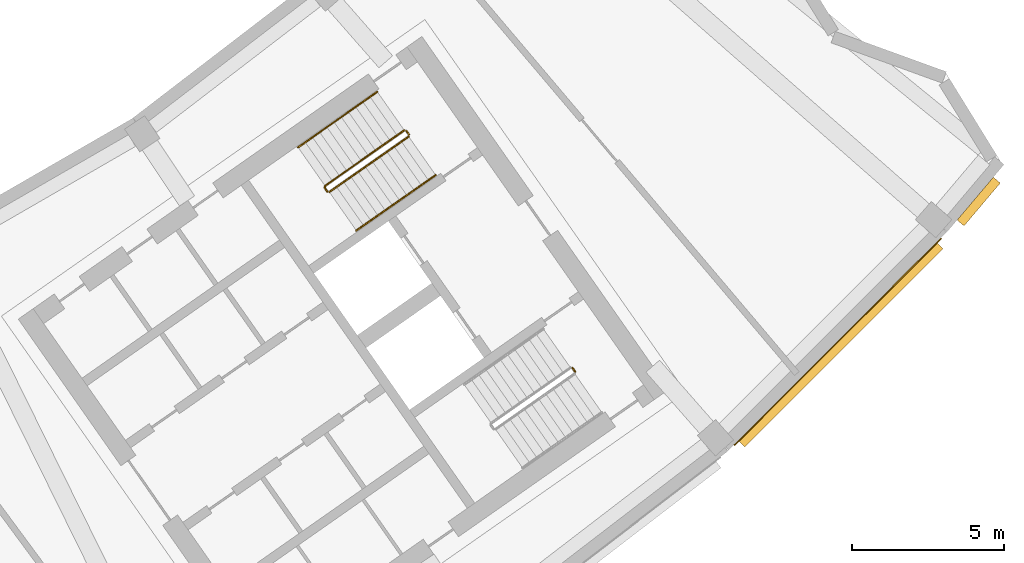
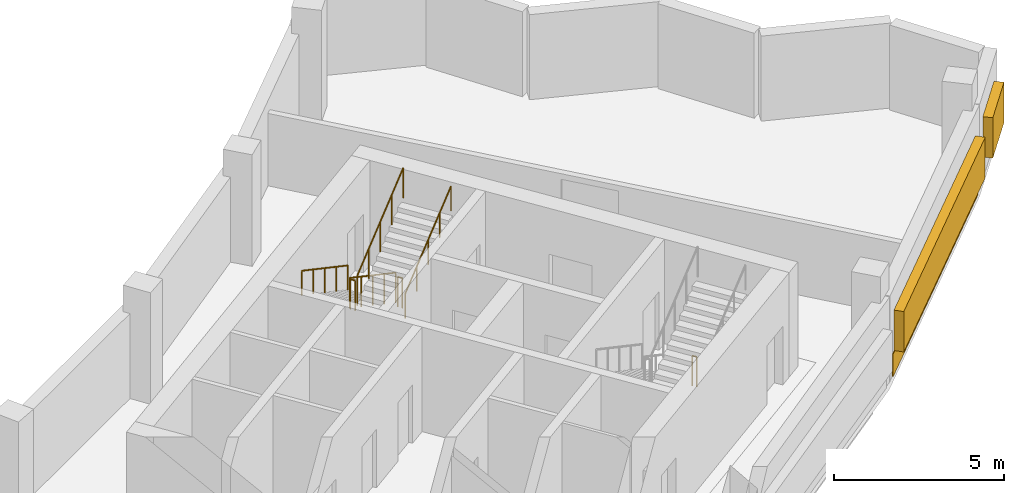
# One storey, part 11 of 11: 6 railings, 2 shading devices, 1 covering.
"""IFC4 building model written with IfcOpenShell, lengths in metres."""

from ifc_helpers import new_model, si_unit, direction, frame, origin, origin_2d, place, context, subcontext, project, spatial, rectangle, circle, extrude, material, layer, layer_set, type_object, element, save


model = new_model("IFC4")

# Units and contexts
model_context = context("Model", 3, precision=1e-05, world=origin(), true_north=direction((0.0, 1.0)))
body_context = subcontext(model_context, "Body", "Model", "MODEL_VIEW")
ifc_project = project(units=[si_unit("LENGTHUNIT", "METRE"), si_unit("AREAUNIT", "SQUARE_METRE"), si_unit("VOLUMEUNIT", "CUBIC_METRE"), si_unit("PLANEANGLEUNIT", "RADIAN"), si_unit("MASSUNIT", "GRAM", prefix="KILO")], contexts=[model_context])

# Site, building, storey
site_placement = place(None, origin())
site = spatial("IfcSite", under=ifc_project, at=site_placement, CompositionType="ELEMENT")
building_placement = place(site_placement, origin())
building = spatial("IfcBuilding", under=site, at=building_placement, Name="Qamariyya Broadcast Tower", CompositionType="ELEMENT")
storey_placement = place(building_placement, frame((0.0, 0.0, 314.699951171875)))
storey = spatial("IfcBuildingStorey", under=building, at=storey_placement, Name="L76", CompositionType="ELEMENT", Elevation=314.699951171875)

# Railings
ifc_material_1 = material(Name="Painted steel", Category="steel")
railing_type_1 = type_object("IfcRailingType", Name="Stair guard", PredefinedType="GUARDRAIL", material=ifc_material_1)
railing_1_placement = place(storey_placement, frame((41.003173828125, -48.320068359375, 0.166748046875)))
element("IfcRailing", 1, at=railing_1_placement, inside=storey, type_object=railing_type_1, Name="L76 ST-E2 stair guard 1", PredefinedType="GUARDRAIL", context=body_context, shape_type="SweptSolid", body=[
    extrude(circle(Radius=0.02392578125, at=origin_2d()), frame((0.0, 0.0, 1.076171875), z_axis=(-0.710204256923, -0.497335411159, 0.498264389913), x_axis=(0.573611290809, -0.819127637829, 0.0)), (0.0, 0.0, 1.0), 3.67919921875),
    extrude(circle(Radius=0.02392578125, at=origin_2d()), frame((-2.613037109375, -1.829833984375, 2.9091796875), z_axis=(-0.172799478008, -0.984957024646, 0.0), x_axis=(0.984957024646, -0.172799478008, 0.0)), (0.0, 0.0, 1.0), 0.070556640625),
    extrude(circle(Radius=0.02392578125, at=origin_2d()), frame((-2.625244140625, -1.8994140625, 2.9091796875), z_axis=(0.573353020881, -0.819308436089, 0.0), x_axis=(0.819308436089, 0.573353020881, 0.0)), (0.0, 0.0, 1.0), 0.14990234375),
    extrude(circle(Radius=0.02099609375, at=origin_2d()), origin(), (0.0, 0.0, 1.0), 1.052001953125),
    extrude(circle(Radius=0.02099609375, at=origin_2d()), frame((-0.6533203125, -0.45751953125, 0.458251953125)), (0.0, 0.0, 1.0), 1.052001953125),
    extrude(circle(Radius=0.02099609375, at=origin_2d()), frame((-1.306640625, -0.9150390625, 0.91650390625)), (0.0, 0.0, 1.0), 1.052001953125),
    extrude(circle(Radius=0.02099609375, at=origin_2d()), frame((-1.959716796875, -1.372314453125, 1.375)), (0.0, 0.0, 1.0), 1.052001953125),
    extrude(circle(Radius=0.02099609375, at=origin_2d()), frame((-2.613037109375, -1.829833984375, 1.833251953125)), (0.0, 0.0, 1.0), 1.052001953125),
    extrude(circle(Radius=0.02099609375, at=origin_2d()), frame((-2.625244140625, -1.8994140625, 1.833251953125)), (0.0, 0.0, 1.0), 1.052001953125),
    extrude(circle(Radius=0.02099609375, at=origin_2d()), frame((-2.539306640625, -2.022216796875, 1.833251953125)), (0.0, 0.0, 1.0), 1.052001953125),
])
railing_2_placement = place(storey_placement, frame((38.53369140625, -50.3544921875, 2.166748046875)))
element("IfcRailing", 2, at=railing_2_placement, inside=storey, type_object=railing_type_1, Name="L76 ST-E2 stair guard 2", PredefinedType="GUARDRAIL", context=body_context, shape_type="SweptSolid", body=[
    extrude(circle(Radius=0.02392578125, at=origin_2d()), frame((0.0, 0.0, 1.076171875), z_axis=(0.710227693972, 0.497285465629, 0.498280832854), x_axis=(-0.573559936391, 0.819163597438, 0.0)), (0.0, 0.0, 1.0), 3.67919921875),
    extrude(circle(Radius=0.02099609375, at=origin_2d()), origin(), (0.0, 0.0, 1.0), 1.052001953125),
    extrude(circle(Radius=0.02099609375, at=origin_2d()), frame((0.6533203125, 0.45751953125, 0.458251953125)), (0.0, 0.0, 1.0), 1.052001953125),
    extrude(circle(Radius=0.02099609375, at=origin_2d()), frame((1.306640625, 0.914794921875, 0.91650390625)), (0.0, 0.0, 1.0), 1.052001953125),
    extrude(circle(Radius=0.02099609375, at=origin_2d()), frame((1.959716796875, 1.3720703125, 1.375)), (0.0, 0.0, 1.0), 1.052001953125),
    extrude(circle(Radius=0.02099609375, at=origin_2d()), frame((2.613037109375, 1.82958984375, 1.833251953125)), (0.0, 0.0, 1.0), 1.052001953125),
])
railing_3_placement = place(storey_placement, frame((41.072998046875, -48.332275390625, 0.0)))
element("IfcRailing", 3, at=railing_3_placement, inside=storey, type_object=railing_type_1, Name="L76 ST-E2 stair guard 3", PredefinedType="GUARDRAIL", context=body_context, shape_type="SweptSolid", body=[
    extrude(circle(Radius=0.02392578125, at=origin_2d()), frame((0.0, 0.0, 1.076171875), z_axis=(0.572588637393, -0.819842821722, 0.0), x_axis=(0.819842821722, 0.572588637393, 0.0)), (0.0, 0.0, 1.0), 0.150146484375),
    extrude(circle(Radius=0.02099609375, at=origin_2d()), origin(), (0.0, 0.0, 1.0), 1.052001953125),
    extrude(circle(Radius=0.02099609375, at=origin_2d()), frame((0.0859375, -0.123046875, 0.0)), (0.0, 0.0, 1.0), 1.052001953125),
])
railing_4_placement = place(storey_placement, frame((46.550537109375, -56.1552734375, 0.0)))
element("IfcRailing", 4, at=railing_4_placement, inside=storey, type_object=railing_type_1, Name="L76 ST-E1 stair guard 3", PredefinedType="GUARDRAIL", context=body_context, shape_type="SweptSolid", body=[
    extrude(circle(Radius=0.02392578125, at=origin_2d()), frame((0.0, 0.0, 1.076171875), z_axis=(0.574444878118, -0.818543268254, 0.0), x_axis=(0.818543268254, 0.574444878118, 0.0)), (0.0, 0.0, 1.0), 0.150146484375),
    extrude(circle(Radius=0.02099609375, at=origin_2d()), origin(), (0.0, 0.0, 1.0), 1.052001953125),
    extrude(circle(Radius=0.02099609375, at=origin_2d()), frame((0.086181640625, -0.122802734375, 0.0)), (0.0, 0.0, 1.0), 1.052001953125),
])
ifc_material_2 = material(Name="Stainless steel", Category="steel")
railing_type_2 = type_object("IfcRailingType", Name="Stair handrail", PredefinedType="HANDRAIL", material=ifc_material_2)
railing_5_placement = place(storey_placement, frame((40.1142578125, -47.05029296875, 0.166748046875)))
element("IfcRailing", 5, at=railing_5_placement, inside=storey, type_object=railing_type_2, Name="L76 ST-E2 stair handrail 1", PredefinedType="HANDRAIL", context=body_context, shape_type="SweptSolid", body=[
    extrude(circle(Radius=0.02392578125, at=origin_2d()), frame((0.0, 0.0, 0.8759765625), z_axis=(-0.710204256923, -0.497335411159, 0.498264389913), x_axis=(0.573611290809, -0.819127637829, 0.0)), (0.0, 0.0, 1.0), 3.67919921875),
    extrude(circle(Radius=0.02099609375, at=origin_2d()), origin(), (0.0, 0.0, 1.0), 0.851806640625),
    extrude(circle(Radius=0.02099609375, at=origin_2d()), frame((-0.6533203125, -0.45751953125, 0.458251953125)), (0.0, 0.0, 1.0), 0.851806640625),
    extrude(circle(Radius=0.02099609375, at=origin_2d()), frame((-1.306640625, -0.9150390625, 0.91650390625)), (0.0, 0.0, 1.0), 0.851806640625),
    extrude(circle(Radius=0.02099609375, at=origin_2d()), frame((-1.959716796875, -1.372314453125, 1.375)), (0.0, 0.0, 1.0), 0.851806640625),
    extrude(circle(Radius=0.02099609375, at=origin_2d()), frame((-2.613037109375, -1.829833984375, 1.833251953125)), (0.0, 0.0, 1.0), 0.851806640625),
])
railing_6_placement = place(storey_placement, frame((39.422607421875, -51.624267578125, 2.166748046875)))
element("IfcRailing", 6, at=railing_6_placement, inside=storey, type_object=railing_type_2, Name="L76 ST-E2 stair handrail 2", PredefinedType="HANDRAIL", context=body_context, shape_type="SweptSolid", body=[
    extrude(circle(Radius=0.02392578125, at=origin_2d()), frame((0.0, 0.0, 0.8759765625), z_axis=(0.710204256923, 0.497335411159, 0.498264389913), x_axis=(-0.573611290809, 0.819127637829, 0.0)), (0.0, 0.0, 1.0), 3.67919921875),
    extrude(circle(Radius=0.02099609375, at=origin_2d()), origin(), (0.0, 0.0, 1.0), 0.851806640625),
    extrude(circle(Radius=0.02099609375, at=origin_2d()), frame((0.6533203125, 0.45751953125, 0.458251953125)), (0.0, 0.0, 1.0), 0.851806640625),
    extrude(circle(Radius=0.02099609375, at=origin_2d()), frame((1.306640625, 0.9150390625, 0.91650390625)), (0.0, 0.0, 1.0), 0.851806640625),
    extrude(circle(Radius=0.02099609375, at=origin_2d()), frame((1.959716796875, 1.372314453125, 1.375)), (0.0, 0.0, 1.0), 0.851806640625),
    extrude(circle(Radius=0.02099609375, at=origin_2d()), frame((2.613037109375, 1.829833984375, 1.833251953125)), (0.0, 0.0, 1.0), 0.851806640625),
])

# Covering
ifc_material_3 = material(Name="Glazed terracotta", Category="masonry")
ifc_layer = layer(ifc_material_3, 0.030029296875)
ifc_layer_set = layer_set([ifc_layer], Name="Terracotta cladding panel 30, crown band")
covering_type = type_object("IfcCoveringType", Name="Terracotta cladding panel 30, crown band", PredefinedType="CLADDING", material=ifc_layer_set)
covering_placement = place(storey_placement, frame((55.293701171875, -55.293701171875, 0.0), z_axis=(0.0, 0.0, 1.0), x_axis=(0.707106781187, 0.707106781187, 0.0)))
element("IfcCovering", 7, at=covering_placement, inside=storey, type_object=covering_type, Name="e-cl-L76-13", PredefinedType="CLADDING", context=body_context, shape_type="SweptSolid", body=[
    extrude(rectangle(XDim=9.648681640625, YDim=0.030029296875, at=origin_2d()), origin(), (0.0, 0.0, 1.0), 0.800048828125),
])

# Shading devices
shading_device_type = type_object("IfcShadingDeviceType", Name="Terracotta louvre bank", PredefinedType="USERDEFINED", material=ifc_material_3)
shading_device_1_placement = place(storey_placement, frame((55.38916015625, -55.38916015625, 0.80029296875), z_axis=(0.0, 0.0, 1.0), x_axis=(0.707106781187, 0.707106781187, 0.0)))
element("IfcShadingDevice", 8, at=shading_device_1_placement, inside=storey, type_object=shading_device_type, Name="e-lv-L76-13", ObjectType="LOUVRE", PredefinedType="USERDEFINED", context=body_context, shape_type="SweptSolid", body=[
    extrude(rectangle(XDim=9.248779296875, YDim=0.300048828125, at=origin_2d()), origin(), (0.0, 0.0, 1.0), 1.449951171875),
])
shading_device_2_placement = place(storey_placement, frame((59.94140625, -50.66796875, 0.80029296875), z_axis=(0.0, 0.0, 1.0), x_axis=(0.645559567332, 0.763709922042, 0.0)))
element("IfcShadingDevice", 9, at=shading_device_2_placement, inside=storey, type_object=shading_device_type, Name="e-lv-L76-14", ObjectType="LOUVRE", PredefinedType="USERDEFINED", context=body_context, shape_type="SweptSolid", body=[
    extrude(rectangle(XDim=1.8505859375, YDim=0.300048828125, at=origin_2d()), origin(), (0.0, 0.0, 1.0), 1.449951171875),
])

save(model, "model.ifc")
